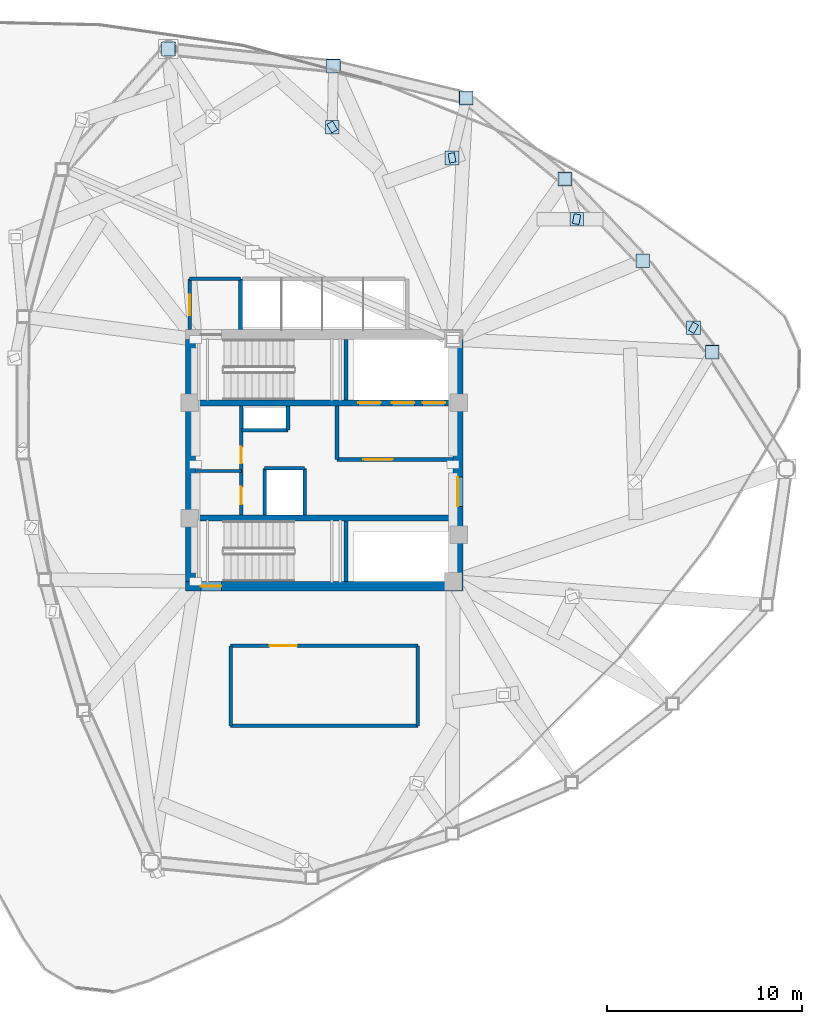
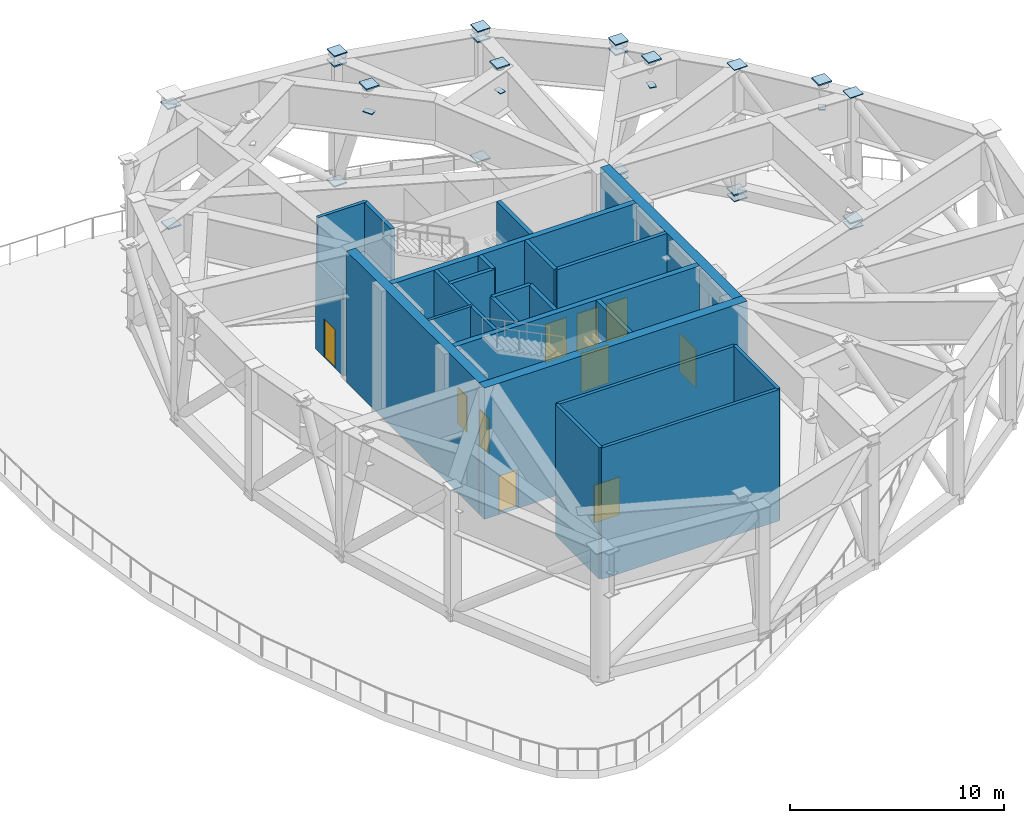
# One storey, part 4 of 8: 26 plates, 23 walls, 10 doors, 10 openings.
"""IFC4 building model written with IfcOpenShell, lengths in metres."""

from ifc_helpers import new_model, si_unit, direction, frame, frame_2d, origin, origin_2d, place, context, subcontext, project, spatial, rectangle, extrude, source, transform, mapped, material, layer, layer_set, type_object, type_shapes, element, fill, save


model = new_model("IFC4")

# Units and contexts
model_context = context("Model", 3, precision=1e-05, world=origin(), true_north=direction((0.0, 1.0)))
body_context = subcontext(model_context, "Body", "Model", "MODEL_VIEW")
ifc_project = project(units=[si_unit("LENGTHUNIT", "METRE"), si_unit("AREAUNIT", "SQUARE_METRE"), si_unit("VOLUMEUNIT", "CUBIC_METRE"), si_unit("PLANEANGLEUNIT", "RADIAN"), si_unit("MASSUNIT", "GRAM", prefix="KILO")], contexts=[model_context])

# Site, building, storey
site_placement = place(None, origin())
site = spatial("IfcSite", under=ifc_project, at=site_placement, CompositionType="ELEMENT")
building_placement = place(site_placement, origin())
building = spatial("IfcBuilding", under=site, at=building_placement, Name="Tavelor Broadcast Tower", CompositionType="ELEMENT")
storey_placement = place(building_placement, frame((0.0, 0.0, 209.14990234375)))
storey = spatial("IfcBuildingStorey", under=building, at=storey_placement, Name="L50", CompositionType="ELEMENT", Elevation=209.14990234375)

# Plates
ifc_material_1 = material(Name="Steel S460", Category="steel")
ifc_layer_1 = layer(ifc_material_1, 0.050048828125)
ifc_layer_set_1 = layer_set([ifc_layer_1], Name="Steel S460")
plate_type_1 = type_object("IfcPlateType", Name="Tube Hollow-End Cap Plate KN05 700x700x50", PredefinedType="USERDEFINED", material=ifc_layer_set_1)
shared_shape_1 = source(origin(), body_context, "Body", "SweptSolid", [
    extrude(rectangle(XDim=0.699951171875, YDim=0.699951171875, at=origin_2d()), origin(), (0.0, 0.0, 1.0), 0.054931640625),
])
for number, where, z_axis, x_axis, name in (
    (1, (69.885986328125, 50.544189453125, -0.02734375), (0.0, 0.0, 1.0), (1.0, 0.0, 0.0), "L50 Hollow End Cap Plate KN05 #1452"),
    (2, (69.885986328125, 50.544189453125, 7.47265625), (0.0, 0.0, 1.0), (1.0, 0.0, 0.0), "L50 Hollow End Cap Plate KN05 #1453"),
    (3, (66.322021484375, 55.228759765625, -0.02734375), (0.0, 0.0, 1.0), (1.0, 0.0, 0.0), "L50 Hollow End Cap Plate KN05 #1454"),
    (4, (66.322021484375, 55.228759765625, 7.47265625), (0.0, 0.0, 1.0), (1.0, 0.0, 0.0), "L50 Hollow End Cap Plate KN05 #1455"),
    (5, (62.330810546875, 59.416259765625, -0.02734375), (0.0, 0.0, 1.0), (1.0, 0.0, 0.0), "L50 Hollow End Cap Plate KN05 #1456"),
    (6, (62.330810546875, 59.416259765625, 7.7724609375), (0.0, 0.0, 1.0), (1.0, 0.0, 0.0), "L50 Hollow End Cap Plate KN05 #1457"),
    (7, (57.276611328125, 63.568359375, 7.7724609375), (0.0, 0.0, 1.0), (1.0, 0.0, 0.0), "L50 Hollow End Cap Plate KN05 #1458"),
    (8, (50.472412109375, 65.2021484375, 7.7724609375), (0.0, 0.0, 1.0), (1.0, 0.0, 0.0), "L50 Hollow End Cap Plate KN05 #1459"),
):
    element("IfcPlate", number, at=place(storey_placement, frame(where, z_axis=z_axis, x_axis=x_axis)), inside=storey, type_object=plate_type_1, Name=name, ObjectType="CAP PLATE", PredefinedType="USERDEFINED", context=body_context, shape_type="MappedRepresentation", body=[
        mapped(shared_shape_1, transform((0.0, 0.0, 0.0), scale=1.0)),
    ])
shared_shape_2 = source(origin(), body_context, "Body", "SweptSolid", [
    extrude(rectangle(XDim=0.699951171875, YDim=0.699951171875, at=origin_2d()), origin(), (0.0, 0.0, 1.0), 0.074951171875),
])
type_shapes(plate_type_1, [shared_shape_1, shared_shape_2])
for number, where, z_axis, x_axis, name in (
    (9, (42.02099609375, 66.09130859375, 0.3125), (0.0, 0.0, 1.0), (1.0, 0.0, 0.0), "L50 Hollow End Cap Plate KN05 #1465"),
    (10, (69.878173828125, 50.556884765625, 0.3125), (0.0, 0.0, 1.0), (1.0, 0.0, 0.0), "L50 Hollow End Cap Plate KN05 #1482"),
    (11, (66.312744140625, 55.240478515625, 0.3125), (0.0, 0.0, 1.0), (1.0, 0.0, 0.0), "L50 Hollow End Cap Plate KN05 #1483"),
    (12, (62.320556640625, 59.427001953125, 0.3125), (0.0, 0.0, 1.0), (1.0, 0.0, 0.0), "L50 Hollow End Cap Plate KN05 #1484"),
    (13, (62.32421875, 59.423095703125, 7.17431640625), (0.0, 0.0, 1.0), (1.0, 0.0, 0.0), "L50 Hollow End Cap Plate KN05 #1485"),
    (14, (57.264892578125, 63.577880859375, 0.3125), (0.0, 0.0, 1.0), (1.0, 0.0, 0.0), "L50 Hollow End Cap Plate KN05 #1486"),
    (15, (57.2685546875, 63.574951171875, 7.17333984375), (0.0, 0.0, 1.0), (1.0, 0.0, 0.0), "L50 Hollow End Cap Plate KN05 #1487"),
    (16, (50.4580078125, 65.205810546875, 0.3125), (0.0, 0.0, 1.0), (1.0, 0.0, 0.0), "L50 Hollow End Cap Plate KN05 #1488"),
    (17, (50.462158203125, 65.20458984375, 7.17333984375), (0.0, 0.0, 1.0), (1.0, 0.0, 0.0), "L50 Hollow End Cap Plate KN05 #1489"),
    (18, (41.99951171875, 66.081298828125, 7.171875), (0.0, 0.0, 1.0), (1.0, 0.0, 0.0), "L50 Hollow End Cap Plate KN05 #1490"),
    (19, (68.917724609375, 51.801513671875, 7.77734375), (0.0, 0.0, 1.0), (1.0, 0.0, 0.0), "L50 Hollow End Cap Plate KN05 #1500"),
    (20, (62.928466796875, 57.35986328125, 7.77685546875), (0.0, 0.0, 1.0), (1.0, 0.0, 0.0), "L50 Hollow End Cap Plate KN05 #1501"),
    (21, (56.544189453125, 60.498291015625, 7.7763671875), (0.0, 0.0, 1.0), (1.0, 0.0, 0.0), "L50 Hollow End Cap Plate KN05 #1502"),
    (22, (50.406982421875, 62.0791015625, 7.7763671875), (0.0, 0.0, 1.0), (1.0, 0.0, 0.0), "L50 Hollow End Cap Plate KN05 #1503"),
):
    element("IfcPlate", number, at=place(storey_placement, frame(where, z_axis=z_axis, x_axis=x_axis)), inside=storey, type_object=plate_type_1, Name=name, ObjectType="CAP PLATE", PredefinedType="USERDEFINED", context=body_context, shape_type="MappedRepresentation", body=[
        mapped(shared_shape_2, transform((0.0, 0.0, 0.0), scale=1.0)),
    ])
ifc_layer_2 = layer(ifc_material_1, 0.0400390625)
ifc_layer_set_2 = layer_set([ifc_layer_2], Name="Steel S460")
plate_type_2 = type_object("IfcPlateType", Name="Belt Node Gusset Plate KN04 480x320x40", PredefinedType="USERDEFINED", material=ifc_layer_set_2)
shared_shape_3 = source(origin(), body_context, "Body", "SweptSolid", [
    extrude(rectangle(XDim=0.47998046875, YDim=0.320068359375, at=origin_2d()), origin(), (0.0, 0.0, 1.0), 0.0400390625),
])
type_shapes(plate_type_2, [shared_shape_3])
for number, where, z_axis, x_axis, name in (
    (23, (68.919677734375, 51.799072265625, 6.22998046875), (0.0, 0.0, 1.0), (-0.5, -0.866025403784, 0.0), "L50 Belt Slide Node Assembly KN04 #13"),
    (24, (56.545654296875, 60.504150390625, 6.22998046875), (0.0, 0.0, 1.0), (0.173648177667, -0.984807753012, 0.0), "L50 Belt Slide Node Assembly KN04 #15"),
):
    element("IfcPlate", number, at=place(storey_placement, frame(where, z_axis=z_axis, x_axis=x_axis)), inside=storey, type_object=plate_type_2, Name=name, ObjectType="GUSSET PLATE", PredefinedType="USERDEFINED", context=body_context, shape_type="MappedRepresentation", body=[
        mapped(shared_shape_3, transform((0.0, 0.0, 0.0), scale=1.0)),
    ])
ifc_layer_3 = layer(ifc_material_1, 0.044921875)
ifc_layer_set_3 = layer_set([ifc_layer_3], Name="Steel S460")
plate_type_3 = type_object("IfcPlateType", Name="Slide Node Cap Plate KN06 500x340x45", PredefinedType="USERDEFINED", material=ifc_layer_set_3)
shared_shape_4 = source(origin(), body_context, "Body", "SweptSolid", [
    extrude(rectangle(XDim=0.5, YDim=0.340087890625, at=origin_2d()), origin(), (0.0, 0.0, 1.0), 0.044921875),
])
type_shapes(plate_type_3, [shared_shape_4])
for number, where, z_axis, x_axis, name in (
    (25, (62.92724609375, 57.364013671875, 6.2275390625), (0.0, 0.0, 1.0), (-0.173648177667, -0.984807753012, 0.0), "L50 Belt Slide Node Assembly KN06 #14"),
    (26, (50.4072265625, 62.0849609375, 6.2275390625), (0.0, 0.0, 1.0), (0.5, -0.866025403784, 0.0), "L50 Belt Slide Node Assembly KN06 #16"),
):
    element("IfcPlate", number, at=place(storey_placement, frame(where, z_axis=z_axis, x_axis=x_axis)), inside=storey, type_object=plate_type_3, Name=name, ObjectType="CAP PLATE", PredefinedType="USERDEFINED", context=body_context, shape_type="MappedRepresentation", body=[
        mapped(shared_shape_4, transform((0.0, 0.0, 0.0), scale=1.0)),
    ])

# Wall, opening, door
ifc_material_2 = material(Name="Concrete C50/60", Category="concrete")
ifc_layer_4 = layer(ifc_material_2, 0.5)
ifc_layer_set_4 = layer_set([ifc_layer_4], Name="Concrete C50/60")
wall_type_1 = type_object("IfcWallType", Name="Core Shear Wall 500 mm", PredefinedType="SHEAR", material=ifc_layer_set_4)
wall_1_placement = place(storey_placement, frame((42.89990234375, 38.550048828125, 0.0), z_axis=(0.0, 0.0, 1.0), x_axis=(1.0, 0.0, 0.0)))
wall_1 = element("IfcWall", 27, at=wall_1_placement, inside=storey, type_object=wall_type_1, Name="L50 Central Core Shear Wall S", PredefinedType="SHEAR", context=body_context, shape_type="SweptSolid", body=[
    extrude(rectangle(XDim=14.2001953125, YDim=0.5, at=frame_2d((7.10009765625, 0.0))), origin(), (0.0, 0.0, 1.0), 7.5),
])
opening_1_placement = place(wall_1_placement, frame((0.780029296875, 0.0, 0.0)))
opening_1 = element("IfcOpeningElement", 28, at=opening_1_placement, cuts=wall_1, Name="Opening DR11", PredefinedType="OPENING", context=body_context, shape_type="SweptSolid", body=[
    extrude(rectangle(XDim=1.050048828125, YDim=2.199951171875, at=frame_2d((0.52490234375, 1.10009765625))), frame((0.0, 0.260009765625, 0.0), z_axis=(0.0, -1.0, 0.0), x_axis=(1.0, 0.0, 0.0)), (0.0, 0.0, 1.0), 0.52001953125),
])
ifc_material_3 = material(Name="Steel S355", Category="steel")
door_type_1 = type_object("IfcDoorType", Name="Stair Core Fire Escape Door 1050x2200", OperationType="NOTDEFINED", PredefinedType="DOOR", material=ifc_material_3)
door_1_placement = place(opening_1_placement, origin())
door_1 = element("IfcDoor", 29, at=door_1_placement, inside=storey, type_object=door_type_1, Name="L50 Stair ST2 Protected Exit Door", OperationType="SINGLE_SWING_RIGHT", OverallHeight=2.199951171875, OverallWidth=1.050048828125, PredefinedType="DOOR", context=body_context, shape_type="SweptSolid", body=[
    extrude(rectangle(XDim=1.050048828125, YDim=2.199951171875, at=frame_2d((0.52490234375, 1.10009765625))), frame((0.0, 0.02490234375, 0.0), z_axis=(0.0, -1.0, 0.0), x_axis=(1.0, 0.0, 0.0)), (0.0, 0.0, 1.0), 0.050048828125),
])
fill(opening_1, door_1)

# Wall
wall_2_placement = place(storey_placement, frame((43.14990234375, 38.800048828125, 0.0), z_axis=(0.0, 0.0, 1.0), x_axis=(0.0, 1.0, 0.0)))
element("IfcWall", 30, at=wall_2_placement, inside=storey, type_object=wall_type_1, Name="L50 Central Core Shear Wall W", PredefinedType="SHEAR", context=body_context, shape_type="SweptSolid", body=[
    extrude(rectangle(XDim=12.39990234375, YDim=0.5, at=frame_2d((6.199951171875, 0.0))), origin(), (0.0, 0.0, 1.0), 7.5),
])

# Wall, opening, door
wall_3_placement = place(storey_placement, frame((56.85009765625, 38.800048828125, 0.0), z_axis=(0.0, 0.0, 1.0), x_axis=(0.0, 1.0, 0.0)))
wall_3 = element("IfcWall", 31, at=wall_3_placement, inside=storey, type_object=wall_type_1, Name="L50 Central Core Shear Wall E", PredefinedType="SHEAR", context=body_context, shape_type="SweptSolid", body=[
    extrude(rectangle(XDim=12.39990234375, YDim=0.5, at=frame_2d((6.199951171875, 0.0))), origin(), (0.0, 0.0, 1.0), 7.5),
])
opening_2_placement = place(wall_3_placement, frame((3.85009765625, 0.0, 0.0)))
opening_2 = element("IfcOpeningElement", 32, at=opening_2_placement, cuts=wall_3, Name="Opening DR14", PredefinedType="OPENING", context=body_context, shape_type="SweptSolid", body=[
    extrude(rectangle(XDim=1.5, YDim=2.199951171875, at=frame_2d((0.75, 1.10009765625))), frame((0.0, 0.260009765625, 0.0), z_axis=(0.0, -1.0, 0.0), x_axis=(1.0, 0.0, 0.0)), (0.0, 0.0, 1.0), 0.52001953125),
])
door_type_2 = type_object("IfcDoorType", Name="Firefighting Lobby Double Fire Door 1500x2200", OperationType="NOTDEFINED", PredefinedType="DOOR", material=ifc_material_3)
door_2_placement = place(opening_2_placement, origin())
door_2 = element("IfcDoor", 33, at=door_2_placement, inside=storey, type_object=door_type_2, Name="L50 Central Core Lobby Fire Door", OperationType="SINGLE_SWING_LEFT", OverallHeight=2.199951171875, OverallWidth=1.5, PredefinedType="DOOR", context=body_context, shape_type="SweptSolid", body=[
    extrude(rectangle(XDim=1.5, YDim=2.199951171875, at=frame_2d((0.75, 1.10009765625))), frame((0.0, 0.02490234375, 0.0), z_axis=(0.0, -1.0, 0.0), x_axis=(1.0, 0.0, 0.0)), (0.0, 0.0, 1.0), 0.050048828125),
])
fill(opening_2, door_2)

# Wall, openings, doors
ifc_layer_5 = layer(ifc_material_2, 0.300048828125)
ifc_layer_set_5 = layer_set([ifc_layer_5], Name="Concrete C50/60")
wall_type_2 = type_object("IfcWallType", Name="Core Spine Shear Wall 300 mm C50", PredefinedType="SHEAR", material=ifc_layer_set_5)
wall_4_placement = place(storey_placement, frame((43.39990234375, 47.949951171875, 0.0), z_axis=(0.0, 0.0, 1.0), x_axis=(1.0, 0.0, 0.0)))
wall_4 = element("IfcWall", 34, at=wall_4_placement, inside=storey, type_object=wall_type_2, Name="L50 Central Core Shear Wall SP1", PredefinedType="SHEAR", context=body_context, shape_type="SweptSolid", body=[
    extrude(rectangle(XDim=13.2001953125, YDim=0.300048828125, at=frame_2d((6.60009765625, 0.0))), origin(), (0.0, 0.0, 1.0), 7.5),
])
opening_3_placement = place(wall_4_placement, frame((8.344970703125, 0.0, 0.0)))
opening_3 = element("IfcOpeningElement", 35, at=opening_3_placement, cuts=wall_4, Name="Opening LD02", PredefinedType="OPENING", context=body_context, shape_type="SweptSolid", body=[
    extrude(rectangle(XDim=1.14990234375, YDim=2.199951171875, at=frame_2d((0.574951171875, 1.10009765625))), frame((0.0, 0.16015625, 0.0), z_axis=(0.0, -1.0, 0.0), x_axis=(1.0, 0.0, 0.0)), (0.0, 0.0, 1.0), 0.320068359375),
])
opening_4_placement = place(wall_4_placement, frame((10.06494140625, 0.0, 0.0)))
opening_4 = element("IfcOpeningElement", 36, at=opening_4_placement, cuts=wall_4, Name="Opening LD02", PredefinedType="OPENING", context=body_context, shape_type="SweptSolid", body=[
    extrude(rectangle(XDim=1.14990234375, YDim=2.199951171875, at=frame_2d((0.574951171875, 1.10009765625))), frame((0.0, 0.16015625, 0.0), z_axis=(0.0, -1.0, 0.0), x_axis=(1.0, 0.0, 0.0)), (0.0, 0.0, 1.0), 0.320068359375),
])
opening_5_placement = place(wall_4_placement, frame((11.64501953125, 0.0, 0.0)))
opening_5 = element("IfcOpeningElement", 37, at=opening_5_placement, cuts=wall_4, Name="Opening LD03", PredefinedType="OPENING", context=body_context, shape_type="SweptSolid", body=[
    extrude(rectangle(XDim=1.14990234375, YDim=2.199951171875, at=frame_2d((0.574951171875, 1.10009765625))), frame((0.0, 0.16015625, 0.0), z_axis=(0.0, -1.0, 0.0), x_axis=(1.0, 0.0, 0.0)), (0.0, 0.0, 1.0), 0.320068359375),
])
ifc_material_4 = material(Name="Reinforced Brushed Stainless Steel", Category="concrete")
door_type_3 = type_object("IfcDoorType", Name="Broadcast Goods Lift Sliding Landing Door 1250x2200", OperationType="NOTDEFINED", PredefinedType="DOOR", material=ifc_material_4)
door_3_placement = place(opening_5_placement, origin())
door_3 = element("IfcDoor", 38, at=door_3_placement, inside=storey, type_object=door_type_3, Name="L50 Lift SVL1 Sliding Landing Door", OperationType="SLIDING_TO_LEFT", OverallHeight=2.199951171875, OverallWidth=1.14990234375, PredefinedType="DOOR", context=body_context, shape_type="SweptSolid", body=[
    extrude(rectangle(XDim=1.14990234375, YDim=2.199951171875, at=frame_2d((0.574951171875, 1.10009765625))), frame((0.0, 0.02490234375, 0.0), z_axis=(0.0, -1.0, 0.0), x_axis=(1.0, 0.0, 0.0)), (0.0, 0.0, 1.0), 0.050048828125),
])
fill(opening_5, door_3)
ifc_material_5 = material(Name="Fire-Rated Stainless Steel", Category="steel")
door_type_4 = type_object("IfcDoorType", Name="Firefighting Lift Sliding Landing Door 1200x2200", OperationType="NOTDEFINED", PredefinedType="DOOR", material=ifc_material_5)
door_4_placement = place(opening_3_placement, origin())
door_4 = element("IfcDoor", 39, at=door_4_placement, inside=storey, type_object=door_type_4, Name="L50 Lift FFL1 Sliding Landing Door", OperationType="SLIDING_TO_LEFT", OverallHeight=2.199951171875, OverallWidth=1.14990234375, PredefinedType="DOOR", context=body_context, shape_type="SweptSolid", body=[
    extrude(rectangle(XDim=1.14990234375, YDim=2.199951171875, at=frame_2d((0.574951171875, 1.10009765625))), frame((0.0, 0.02490234375, 0.0), z_axis=(0.0, -1.0, 0.0), x_axis=(1.0, 0.0, 0.0)), (0.0, 0.0, 1.0), 0.050048828125),
])
fill(opening_3, door_4)
door_5_placement = place(opening_4_placement, origin())
door_5 = element("IfcDoor", 40, at=door_5_placement, inside=storey, type_object=door_type_4, Name="L50 Lift FFL2 Sliding Landing Door", OperationType="SLIDING_TO_LEFT", OverallHeight=2.199951171875, OverallWidth=1.14990234375, PredefinedType="DOOR", context=body_context, shape_type="SweptSolid", body=[
    extrude(rectangle(XDim=1.14990234375, YDim=2.199951171875, at=frame_2d((0.574951171875, 1.10009765625))), frame((0.0, 0.02490234375, 0.0), z_axis=(0.0, -1.0, 0.0), x_axis=(1.0, 0.0, 0.0)), (0.0, 0.0, 1.0), 0.050048828125),
])
fill(opening_4, door_5)

# Wall
wall_5_placement = place(storey_placement, frame((43.39990234375, 42.050048828125, 0.0), z_axis=(0.0, 0.0, 1.0), x_axis=(1.0, 0.0, 0.0)))
element("IfcWall", 41, at=wall_5_placement, inside=storey, type_object=wall_type_2, Name="L50 Central Core Shear Wall SP2", PredefinedType="SHEAR", context=body_context, shape_type="SweptSolid", body=[
    extrude(rectangle(XDim=13.2001953125, YDim=0.300048828125, at=frame_2d((6.60009765625, 0.0))), origin(), (0.0, 0.0, 1.0), 7.5),
])

# Wall, openings, doors
ifc_material_6 = material(Name="Calcium Silicate Fire Board 180 mm", Category="gypsum")
ifc_layer_6 = layer(ifc_material_6, 0.179931640625)
ifc_layer_set_6 = layer_set([ifc_layer_6], Name="Calcium Silicate Fire Board 180 mm")
wall_type_3 = type_object("IfcWallType", Name="Fire-Rated Corridor Partition Wall 180 mm", PredefinedType="PARTITIONING", material=ifc_layer_set_6)
wall_6_placement = place(storey_placement, frame((45.75, 42.199951171875, 0.0), z_axis=(0.0, 0.0, 1.0), x_axis=(0.0, 1.0, 0.0)))
wall_6 = element("IfcWall", 42, at=wall_6_placement, inside=storey, type_object=wall_type_3, Name="L50 Core West Service East Wall", PredefinedType="PARTITIONING", context=body_context, shape_type="SweptSolid", body=[
    extrude(rectangle(XDim=5.60009765625, YDim=0.179931640625, at=frame_2d((2.800048828125, 0.0))), origin(), (0.0, 0.0, 1.0), 7.5),
])
opening_6_placement = place(wall_6_placement, frame((0.550048828125, 0.0, 0.0)))
opening_6 = element("IfcOpeningElement", 43, at=opening_6_placement, cuts=wall_6, Name="Opening DR32", PredefinedType="OPENING", context=body_context, shape_type="SweptSolid", body=[
    extrude(rectangle(XDim=0.89990234375, YDim=2.050048828125, at=frame_2d((0.449951171875, 1.02490234375))), frame((0.0, 0.10009765625, 0.0), z_axis=(0.0, -1.0, 0.0), x_axis=(1.0, 0.0, 0.0)), (0.0, 0.0, 1.0), 0.199951171875),
])
opening_7_placement = place(wall_6_placement, frame((2.64990234375, 0.0, 0.0)))
opening_7 = element("IfcOpeningElement", 44, at=opening_7_placement, cuts=wall_6, Name="Opening DR36", PredefinedType="OPENING", context=body_context, shape_type="SweptSolid", body=[
    extrude(rectangle(XDim=0.85009765625, YDim=2.050048828125, at=frame_2d((0.425048828125, 1.02490234375))), frame((0.0, 0.10009765625, 0.0), z_axis=(0.0, -1.0, 0.0), x_axis=(1.0, 0.0, 0.0)), (0.0, 0.0, 1.0), 0.199951171875),
])
ifc_material_7 = material(Name="Timber Solid Core Hardwood", Category="wood")
door_type_5 = type_object("IfcDoorType", Name="Accessible Washroom Door 900x2050", OperationType="NOTDEFINED", PredefinedType="DOOR", material=ifc_material_7)
door_6_placement = place(opening_6_placement, origin())
door_6 = element("IfcDoor", 45, at=door_6_placement, inside=storey, type_object=door_type_5, Name="L50 Core Accessible WC Door", OperationType="SINGLE_SWING_LEFT", OverallHeight=2.050048828125, OverallWidth=0.89990234375, PredefinedType="DOOR", context=body_context, shape_type="SweptSolid", body=[
    extrude(rectangle(XDim=0.89990234375, YDim=2.050048828125, at=frame_2d((0.449951171875, 1.02490234375))), frame((0.0, 0.02490234375, 0.0), z_axis=(0.0, -1.0, 0.0), x_axis=(1.0, 0.0, 0.0)), (0.0, 0.0, 1.0), 0.050048828125),
])
fill(opening_6, door_6)
door_type_6 = type_object("IfcDoorType", Name="Service Room Fire Door 850x2050", OperationType="NOTDEFINED", PredefinedType="DOOR", material=ifc_material_3)
door_7_placement = place(opening_7_placement, origin())
door_7 = element("IfcDoor", 46, at=door_7_placement, inside=storey, type_object=door_type_6, Name="L50 Core Tea Pantry Door", OperationType="SINGLE_SWING_RIGHT", OverallHeight=2.050048828125, OverallWidth=0.85009765625, PredefinedType="DOOR", context=body_context, shape_type="SweptSolid", body=[
    extrude(rectangle(XDim=0.85009765625, YDim=2.050048828125, at=frame_2d((0.425048828125, 1.02490234375))), frame((0.0, 0.02490234375, 0.0), z_axis=(0.0, -1.0, 0.0), x_axis=(1.0, 0.0, 0.0)), (0.0, 0.0, 1.0), 0.050048828125),
])
fill(opening_7, door_7)

# Wall
wall_7_placement = place(storey_placement, frame((43.10009765625, 54.300048828125, 0.0), z_axis=(0.0, 0.0, 1.0), x_axis=(1.0, 0.0, 0.0)))
element("IfcWall", 47, at=wall_7_placement, inside=storey, type_object=wall_type_3, Name="L50 Stair ST1 Lobby North Wall", PredefinedType="PARTITIONING", context=body_context, shape_type="SweptSolid", body=[
    extrude(rectangle(XDim=2.619873046875, YDim=0.179931640625, at=frame_2d((1.31005859375, 0.0))), origin(), (0.0, 0.0, 1.0), 7.5),
])

# Wall, opening, door
wall_8_placement = place(storey_placement, frame((43.10009765625, 51.699951171875, 0.0), z_axis=(0.0, 0.0, 1.0), x_axis=(0.0, 1.0, 0.0)))
wall_8 = element("IfcWall", 48, at=wall_8_placement, inside=storey, type_object=wall_type_3, Name="L50 Stair ST1 Lobby West Wall", PredefinedType="PARTITIONING", context=body_context, shape_type="SweptSolid", body=[
    extrude(rectangle(XDim=2.60009765625, YDim=0.179931640625, at=frame_2d((1.300048828125, 0.0))), origin(), (0.0, 0.0, 1.0), 4.97509765625),
])
opening_8_placement = place(wall_8_placement, frame((0.75, 0.0, 0.0)))
opening_8 = element("IfcOpeningElement", 49, at=opening_8_placement, cuts=wall_8, Name="Opening DR11", PredefinedType="OPENING", context=body_context, shape_type="SweptSolid", body=[
    extrude(rectangle(XDim=1.050048828125, YDim=2.199951171875, at=frame_2d((0.52490234375, 1.10009765625))), frame((0.0, 0.10009765625, 0.0), z_axis=(0.0, -1.0, 0.0), x_axis=(1.0, 0.0, 0.0)), (0.0, 0.0, 1.0), 0.199951171875),
])
door_8_placement = place(opening_8_placement, origin())
door_8 = element("IfcDoor", 50, at=door_8_placement, inside=storey, type_object=door_type_1, Name="L50 Stair ST1 Lobby Corridor Door", OperationType="SINGLE_SWING_RIGHT", OverallHeight=2.199951171875, OverallWidth=1.050048828125, PredefinedType="DOOR", context=body_context, shape_type="SweptSolid", body=[
    extrude(rectangle(XDim=1.050048828125, YDim=2.199951171875, at=frame_2d((0.52490234375, 1.10009765625))), frame((0.0, 0.02490234375, 0.0), z_axis=(0.0, -1.0, 0.0), x_axis=(1.0, 0.0, 0.0)), (0.0, 0.0, 1.0), 0.050048828125),
])
fill(opening_8, door_8)

wall_9_placement = place(storey_placement, frame((45.199951171875, 35.5, 0.0), z_axis=(0.0, 0.0, 1.0), x_axis=(1.0, 0.0, 0.0)))
wall_9 = element("IfcWall", 51, at=wall_9_placement, inside=storey, type_object=wall_type_3, Name="L50 Wind Monitoring Plant North Wall", PredefinedType="PARTITIONING", context=body_context, shape_type="SweptSolid", body=[
    extrude(rectangle(XDim=9.60009765625, YDim=0.179931640625, at=frame_2d((4.800048828125, 0.0))), origin(), (0.0, 0.0, 1.0), 7.5),
])
opening_9_placement = place(wall_9_placement, frame((2.0, 0.0, 0.0)))
opening_9 = element("IfcOpeningElement", 52, at=opening_9_placement, cuts=wall_9, Name="Opening DR41", PredefinedType="OPENING", context=body_context, shape_type="SweptSolid", body=[
    extrude(rectangle(XDim=1.39990234375, YDim=2.14990234375, at=frame_2d((0.699951171875, 1.074951171875))), frame((0.0, 0.10009765625, 0.0), z_axis=(0.0, -1.0, 0.0), x_axis=(1.0, 0.0, 0.0)), (0.0, 0.0, 1.0), 0.199951171875),
])
door_type_7 = type_object("IfcDoorType", Name="Plant Room Double Fire Door 1400x2150", OperationType="NOTDEFINED", PredefinedType="DOOR", material=ifc_material_3)
door_9_placement = place(opening_9_placement, origin())
door_9 = element("IfcDoor", 53, at=door_9_placement, inside=storey, type_object=door_type_7, Name="L50 Wind Monitoring Plant Door", OperationType="SINGLE_SWING_RIGHT", OverallHeight=2.14990234375, OverallWidth=1.39990234375, PredefinedType="DOOR", context=body_context, shape_type="SweptSolid", body=[
    extrude(rectangle(XDim=1.39990234375, YDim=2.14990234375, at=frame_2d((0.699951171875, 1.074951171875))), frame((0.0, 0.02490234375, 0.0), z_axis=(0.0, -1.0, 0.0), x_axis=(1.0, 0.0, 0.0)), (0.0, 0.0, 1.0), 0.050048828125),
])
fill(opening_9, door_9)

# Walls
wall_10_placement = place(storey_placement, frame((45.199951171875, 31.39990234375, 0.0), z_axis=(0.0, 0.0, 1.0), x_axis=(1.0, 0.0, 0.0)))
element("IfcWall", 54, at=wall_10_placement, inside=storey, type_object=wall_type_3, Name="L50 Wind Monitoring Plant South Wall", PredefinedType="PARTITIONING", context=body_context, shape_type="SweptSolid", body=[
    extrude(rectangle(XDim=9.60009765625, YDim=0.179931640625, at=frame_2d((4.800048828125, 0.0))), origin(), (0.0, 0.0, 1.0), 7.5),
])
for number, where, z_axis, x_axis, name in (
    (55, (45.199951171875, 31.39990234375, 0.0), (0.0, 0.0, 1.0), (0.0, 1.0, 0.0), "L50 Wind Monitoring Plant West Wall"),
    (56, (54.800048828125, 31.39990234375, 0.0), (0.0, 0.0, 1.0), (0.0, 1.0, 0.0), "L50 Wind Monitoring Plant East Wall"),
):
    element("IfcWall", number, at=place(storey_placement, frame(where, z_axis=z_axis, x_axis=x_axis)), inside=storey, type_object=wall_type_3, Name=name, PredefinedType="PARTITIONING", context=body_context, shape_type="SweptSolid", body=[
        extrude(rectangle(XDim=4.10009765625, YDim=0.179931640625, at=frame_2d((2.050048828125, 0.0))), origin(), (0.0, 0.0, 1.0), 7.5),
    ])
ifc_material_8 = material(Name="Gypsum Acoustic Plasterboard 150 mm", Category="gypsum")
ifc_layer_7 = layer(ifc_material_8, 0.14990234375)
ifc_layer_set_7 = layer_set([ifc_layer_7], Name="Gypsum Acoustic Plasterboard 150 mm")
wall_type_4 = type_object("IfcWallType", Name="Interior Acoustic Partition Wall 150 mm", PredefinedType="PARTITIONING", material=ifc_layer_set_7)
wall_11_placement = place(storey_placement, frame((43.39990234375, 44.449951171875, 0.0), z_axis=(0.0, 0.0, 1.0), x_axis=(1.0, 0.0, 0.0)))
element("IfcWall", 57, at=wall_11_placement, inside=storey, type_object=wall_type_4, Name="L50 Core Split Wall C", PredefinedType="PARTITIONING", context=body_context, shape_type="SweptSolid", body=[
    extrude(rectangle(XDim=2.35009765625, YDim=0.14990234375, at=frame_2d((1.175048828125, 0.0))), origin(), (0.0, 0.0, 1.0), 7.5),
])
ifc_material_9 = material(Name="Concrete Blockwork 200 mm", Category="masonry")
ifc_layer_8 = layer(ifc_material_9, 0.199951171875)
ifc_layer_set_8 = layer_set([ifc_layer_8], Name="Concrete Blockwork 200 mm")
wall_type_5 = type_object("IfcWallType", Name="Lift Hoistway Rated Front Wall 200 mm", PredefinedType="PARTITIONING", material=ifc_layer_set_8)
wall_12_placement = place(storey_placement, frame((49.0, 42.199951171875, 0.0), z_axis=(0.0, 0.0, 1.0), x_axis=(0.0, 1.0, 0.0)))
element("IfcWall", 58, at=wall_12_placement, inside=storey, type_object=wall_type_5, Name="L50 Mid-Rise Lift PLM4 Hoistway Front Wall", PredefinedType="PARTITIONING", context=body_context, shape_type="SweptSolid", body=[
    extrude(rectangle(XDim=2.400146484375, YDim=0.199951171875, at=frame_2d((1.2001953125, 0.0))), origin(), (0.0, 0.0, 1.0), 7.5),
])
ifc_layer_9 = layer(ifc_material_9, 0.199951171875)
ifc_layer_set_9 = layer_set([ifc_layer_9], Name="Concrete Blockwork 200 mm")
wall_type_6 = type_object("IfcWallType", Name="Lift and Riser Shaft Enclosure Wall 200 mm", PredefinedType="PARTITIONING", material=ifc_layer_set_9)
wall_13_placement = place(storey_placement, frame((45.699951171875, 51.699951171875, 0.0), z_axis=(0.0, 0.0, 1.0), x_axis=(0.0, 1.0, 0.0)))
element("IfcWall", 59, at=wall_13_placement, inside=storey, type_object=wall_type_6, Name="L50 High-Rise Lift Shaft West Wall", PredefinedType="PARTITIONING", context=body_context, shape_type="SweptSolid", body=[
    extrude(rectangle(XDim=2.60009765625, YDim=0.199951171875, at=frame_2d((1.300048828125, 0.0))), origin(), (0.0, 0.0, 1.0), 7.5),
])
wall_14_placement = place(storey_placement, frame((45.75, 46.550048828125, 0.0), z_axis=(0.0, 0.0, 1.0), x_axis=(1.0, 0.0, 0.0)))
element("IfcWall", 60, at=wall_14_placement, inside=storey, type_object=wall_type_6, Name="L50 Riser Shaft South Wall", PredefinedType="PARTITIONING", context=body_context, shape_type="SweptSolid", body=[
    extrude(rectangle(XDim=2.39990234375, YDim=0.199951171875, at=frame_2d((1.199951171875, 0.0))), origin(), (0.0, 0.0, 1.0), 7.5),
])
wall_15_placement = place(storey_placement, frame((48.14990234375, 46.550048828125, 0.0), z_axis=(0.0, 0.0, 1.0), x_axis=(0.0, 1.0, 0.0)))
element("IfcWall", 61, at=wall_15_placement, inside=storey, type_object=wall_type_6, Name="L50 Riser Shaft East Wall", PredefinedType="PARTITIONING", context=body_context, shape_type="SweptSolid", body=[
    extrude(rectangle(XDim=1.25, YDim=0.199951171875, at=frame_2d((0.625, 0.0))), origin(), (0.0, 0.0, 1.0), 7.5),
])
wall_16_placement = place(storey_placement, frame((46.949951171875, 42.199951171875, 0.0), z_axis=(0.0, 0.0, 1.0), x_axis=(0.0, 1.0, 0.0)))
element("IfcWall", 62, at=wall_16_placement, inside=storey, type_object=wall_type_6, Name="L50 Mid-Rise Lift PLM4 West Wall", PredefinedType="PARTITIONING", context=body_context, shape_type="SweptSolid", body=[
    extrude(rectangle(XDim=2.400146484375, YDim=0.199951171875, at=frame_2d((1.2001953125, 0.0))), origin(), (0.0, 0.0, 1.0), 7.5),
])
wall_17_placement = place(storey_placement, frame((46.949951171875, 44.60009765625, 0.0), z_axis=(0.0, 0.0, 1.0), x_axis=(1.0, 0.0, 0.0)))
element("IfcWall", 63, at=wall_17_placement, inside=storey, type_object=wall_type_6, Name="L50 Mid-Rise Lift PLM4 North Wall", PredefinedType="PARTITIONING", context=body_context, shape_type="SweptSolid", body=[
    extrude(rectangle(XDim=2.050048828125, YDim=0.199951171875, at=frame_2d((1.02490234375, 0.0))), origin(), (0.0, 0.0, 1.0), 7.5),
])

# Wall, opening, door
wall_18_placement = place(storey_placement, frame((50.64990234375, 45.050048828125, 0.0), z_axis=(0.0, 0.0, 1.0), x_axis=(1.0, 0.0, 0.0)))
wall_18 = element("IfcWall", 64, at=wall_18_placement, inside=storey, type_object=wall_type_6, Name="L50 Firefighting Lobby South Wall", PredefinedType="PARTITIONING", context=body_context, shape_type="SweptSolid", body=[
    extrude(rectangle(XDim=5.9501953125, YDim=0.199951171875, at=frame_2d((2.97509765625, 0.0))), origin(), (0.0, 0.0, 1.0), 7.5),
])
opening_10_placement = place(wall_18_placement, frame((1.35009765625, 0.0, 0.0)))
opening_10 = element("IfcOpeningElement", 65, at=opening_10_placement, cuts=wall_18, Name="Opening DR14", PredefinedType="OPENING", context=body_context, shape_type="SweptSolid", body=[
    extrude(rectangle(XDim=1.5, YDim=2.199951171875, at=frame_2d((0.75, 1.10009765625))), frame((0.0, 0.10986328125, 0.0), z_axis=(0.0, -1.0, 0.0), x_axis=(1.0, 0.0, 0.0)), (0.0, 0.0, 1.0), 0.219970703125),
])
door_10_placement = place(opening_10_placement, origin())
door_10 = element("IfcDoor", 66, at=door_10_placement, inside=storey, type_object=door_type_2, Name="L50 Firefighting Lobby Compartment Door", OperationType="SINGLE_SWING_RIGHT", OverallHeight=2.199951171875, OverallWidth=1.5, PredefinedType="DOOR", context=body_context, shape_type="SweptSolid", body=[
    extrude(rectangle(XDim=1.5, YDim=2.199951171875, at=frame_2d((0.75, 1.10009765625))), frame((0.0, 0.02490234375, 0.0), z_axis=(0.0, -1.0, 0.0), x_axis=(1.0, 0.0, 0.0)), (0.0, 0.0, 1.0), 0.050048828125),
])
fill(opening_10, door_10)

# Walls
wall_19_placement = place(storey_placement, frame((50.64990234375, 45.050048828125, 0.0), z_axis=(0.0, 0.0, 1.0), x_axis=(0.0, 1.0, 0.0)))
element("IfcWall", 67, at=wall_19_placement, inside=storey, type_object=wall_type_6, Name="L50 Firefighting Lobby West Wall", PredefinedType="PARTITIONING", context=body_context, shape_type="SweptSolid", body=[
    extrude(rectangle(XDim=2.75, YDim=0.199951171875, at=frame_2d((1.375, 0.0))), origin(), (0.0, 0.0, 1.0), 7.5),
])
ifc_material_10 = material(Name="Concrete C40/50", Category="concrete")
ifc_layer_10 = layer(ifc_material_10, 0.219970703125)
ifc_layer_set_10 = layer_set([ifc_layer_10], Name="Concrete C40/50")
wall_type_7 = type_object("IfcWallType", Name="Structural Stairwell Shear Wall 220 mm", PredefinedType="SHEAR", material=ifc_layer_set_10)
for number, where, z_axis, x_axis, name in (
    (68, (51.110107421875, 48.10009765625, 0.0), (0.0, 0.0, 1.0), (0.0, 1.0, 0.0), "L50 Stair ST1 Structural Shaft Wall"),
    (69, (51.110107421875, 38.800048828125, 0.0), (0.0, 0.0, 1.0), (0.0, 1.0, 0.0), "L50 Stair ST2 Structural Shaft Wall"),
):
    element("IfcWall", number, at=place(storey_placement, frame(where, z_axis=z_axis, x_axis=x_axis)), inside=storey, type_object=wall_type_7, Name=name, PredefinedType="SHEAR", context=body_context, shape_type="SweptSolid", body=[
        extrude(rectangle(XDim=3.099853515625, YDim=0.219970703125, at=frame_2d((1.5498046875, 0.0))), origin(), (0.0, 0.0, 1.0), 7.5),
    ])

save(model, "model.ifc")
